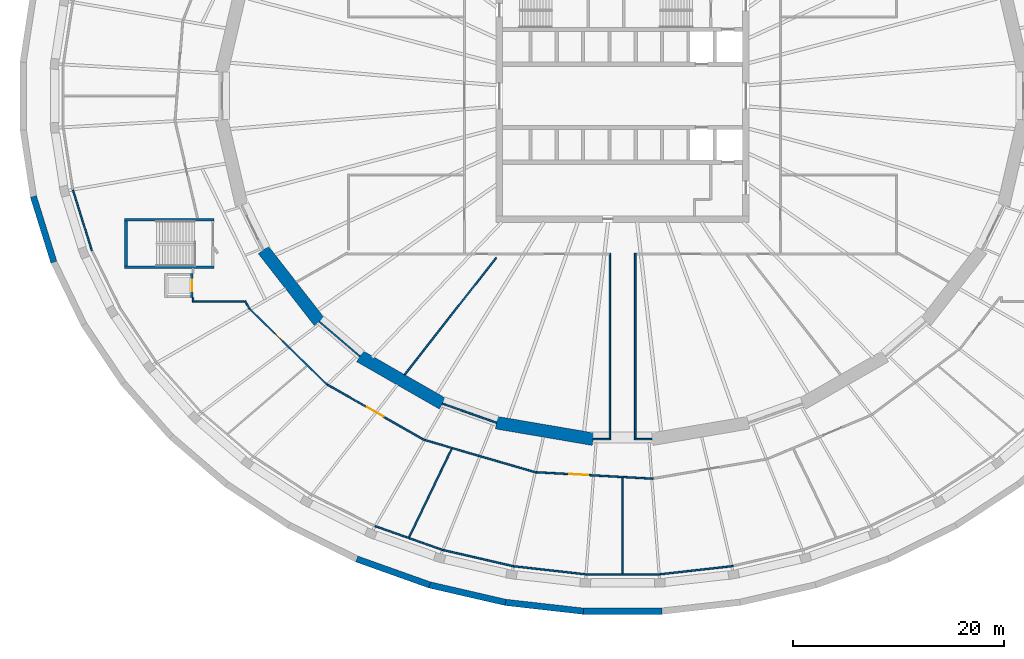
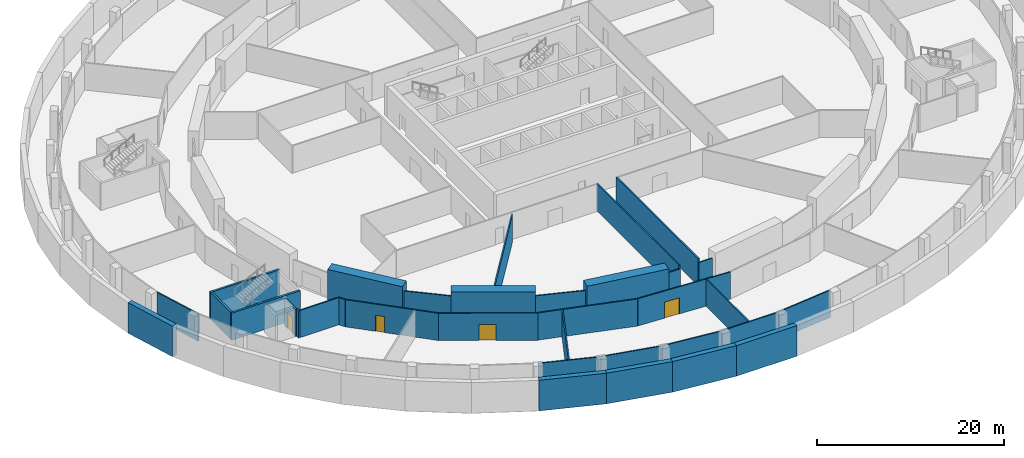
# One storey, part 5 of 14: 34 walls, 4 doors, 4 openings.
"""IFC4 building model written with IfcOpenShell, lengths in metres."""

from ifc_helpers import new_model, si_unit, direction, frame, frame_2d, origin, place, context, subcontext, project, spatial, polyline, rectangle, outline, extrude, material, layer, layer_set, type_object, element, fill, save


model = new_model("IFC4")

# Units and contexts
model_context = context("Model", 3, precision=1e-05, world=origin(), true_north=direction((0.0, 1.0)))
body_context = subcontext(model_context, "Body", "Model", "MODEL_VIEW")
ifc_project = project(units=[si_unit("LENGTHUNIT", "METRE"), si_unit("AREAUNIT", "SQUARE_METRE"), si_unit("VOLUMEUNIT", "CUBIC_METRE"), si_unit("PLANEANGLEUNIT", "RADIAN"), si_unit("MASSUNIT", "GRAM", prefix="KILO")], contexts=[model_context])

# Site, building, storey
site_placement = place(None, origin())
site = spatial("IfcSite", under=ifc_project, at=site_placement, CompositionType="ELEMENT")
building_placement = place(site_placement, origin())
building = spatial("IfcBuilding", under=site, at=building_placement, Name="Halqa Exchange Tower", CompositionType="ELEMENT")
storey_placement = place(building_placement, frame((0.0, 0.0, -4.0)))
storey = spatial("IfcBuildingStorey", under=building, at=storey_placement, Name="B1", CompositionType="ELEMENT", Elevation=-4.0)

# Walls
ifc_material_1 = material(Name="Fire-rated gypsum board")
ifc_layer_1 = layer(ifc_material_1, 0.14990234375)
ifc_layer_set_1 = layer_set([ifc_layer_1], Name="Fire-rated gypsum board")
wall_type_1 = type_object("IfcWallType", Name="Fire partition EI 60 150", PredefinedType="PARTITIONING", material=ifc_layer_set_1)
wall_1_placement = place(storey_placement, frame((-52.15380859375, -8.93408203125, 0.0), z_axis=(0.0, 0.0, 1.0), x_axis=(0.297729429636, -0.954650295516, 0.0)))
element("IfcWall", 1, at=wall_1_placement, inside=storey, type_object=wall_type_1, Name="B1-PWL-004", PredefinedType="PARTITIONING", context=body_context, shape_type="SweptSolid", body=[
    extrude(rectangle(XDim=6.013916015625, YDim=0.14990234375, at=frame_2d((3.0068359375, 0.0))), origin(), (0.0, 0.0, 1.0), 3.550048828125),
])
wall_2_placement = place(storey_placement, frame((-40.75, -19.574951171875, 0.0), z_axis=(0.0, 0.0, 1.0), x_axis=(0.0, 1.0, 0.0)))
element("IfcWall", 2, at=wall_2_placement, inside=storey, type_object=wall_type_1, Name="B1-PWL-015", PredefinedType="PARTITIONING", context=body_context, shape_type="SweptSolid", body=[
    extrude(rectangle(XDim=0.425048828125, YDim=0.14990234375, at=frame_2d((0.21240234375, 0.0))), origin(), (0.0, 0.0, 1.0), 3.550048828125),
])
wall_3_placement = place(storey_placement, frame((-35.890380859375, -19.5, 0.0), z_axis=(0.0, 0.0, 1.0), x_axis=(-1.0, 0.0, 0.0)))
element("IfcWall", 3, at=wall_3_placement, inside=storey, type_object=wall_type_1, Name="B1-PWL-026", PredefinedType="PARTITIONING", context=body_context, shape_type="SweptSolid", body=[
    extrude(outline(polyline([(0.044921875, -0.074951171875), (4.78466796875, -0.074951171875), (4.78466796875, 0.074951171875), (-0.044921875, 0.074951171875), (0.044921875, -0.074951171875)])), origin(), (0.0, 0.0, 1.0), 3.550048828125),
])
wall_4_placement = place(storey_placement, frame((-35.834716796875, -19.448486328125, 0.0), z_axis=(0.0, 0.0, 1.0), x_axis=(0.502102221325, -0.86480827895, 0.0)))
element("IfcWall", 4, at=wall_4_placement, inside=storey, type_object=wall_type_1, Name="B1-PWL-027", PredefinedType="PARTITIONING", context=body_context, shape_type="SweptSolid", body=[
    extrude(rectangle(XDim=0.884521484375, YDim=0.14990234375, at=frame_2d((0.4423828125, 0.0))), origin(), (0.0, 0.0, 1.0), 3.550048828125),
])

# Wall, opening, door
wall_5_placement = place(storey_placement, frame((-35.388671875, -20.21142578125, 0.0), z_axis=(0.0, 0.0, 1.0), x_axis=(0.714900505887, -0.699226191359, 0.0)))
wall_5 = element("IfcWall", 5, at=wall_5_placement, inside=storey, type_object=wall_type_1, Name="B1-PWL-029", PredefinedType="PARTITIONING", context=body_context, shape_type="SweptSolid", body=[
    extrude(rectangle(XDim=10.295654296875, YDim=0.14990234375, at=frame_2d((5.14794921875, 0.0))), origin(), (0.0, 0.0, 1.0), 3.550048828125),
])
opening_1_placement = place(wall_5_placement, frame((3.352783203125, 0.0, 0.0)))
opening_1 = element("IfcOpeningElement", 6, at=opening_1_placement, cuts=wall_5, Name="Opening B1-30", PredefinedType="OPENING", context=body_context, shape_type="SweptSolid", body=[
    extrude(rectangle(XDim=1.0, YDim=2.10009765625, at=frame_2d((0.5, 1.050048828125))), frame((0.0, 0.0869140625, 0.0), z_axis=(0.0, -1.0, 0.0), x_axis=(1.0, 0.0, 0.0)), (0.0, 0.0, 1.0), 0.173828125),
])
ifc_material_2 = material(Name="Steel fire door leaf", Category="steel")
door_type_1 = type_object("IfcDoorType", Name="Fire door FD30S 1000 x 2100", OperationType="SINGLE_SWING_LEFT", PredefinedType="DOOR", material=ifc_material_2)
door_1_placement = place(opening_1_placement, frame((1.0, 0.0, 0.0), z_axis=(0.0, 0.0, 1.0), x_axis=(-1.0, 0.0, 0.0)))
door_1 = element("IfcDoor", 7, at=door_1_placement, inside=storey, type_object=door_type_1, Name="B1-IDR-030", OperationType="SINGLE_SWING_RIGHT", OverallHeight=2.10009765625, OverallWidth=1.0, PredefinedType="DOOR", context=body_context, shape_type="SweptSolid", body=[
    extrude(rectangle(XDim=1.0, YDim=2.10009765625, at=frame_2d((0.5, 1.050048828125))), frame((0.0, 0.02490234375, 0.0), z_axis=(0.0, -1.0, 0.0), x_axis=(1.0, 0.0, 0.0)), (0.0, 0.0, 1.0), 0.050048828125),
])
fill(opening_1, door_1)

# Walls
wall_6_placement = place(storey_placement, frame((-28.789306640625, -21.41064453125, 0.0), z_axis=(0.0, 0.0, 1.0), x_axis=(0.760084552743, -0.649824185978, 0.0)))
element("IfcWall", 8, at=wall_6_placement, inside=storey, type_object=wall_type_1, Name="B1-PWL-037", PredefinedType="PARTITIONING", context=body_context, shape_type="SweptSolid", body=[
    extrude(outline(polyline([(-0.015380859375, -0.074951171875), (5.089111328125, -0.074951171875), (5.060791015625, 0.074951171875), (0.015380859375, 0.074951171875), (-0.015380859375, -0.074951171875)])), origin(), (0.0, 0.0, 1.0), 3.10009765625),
])
wall_7_placement = place(storey_placement, frame((-23.489501953125, -40.818603515625, 0.0), z_axis=(0.0, 0.0, 1.0), x_axis=(0.942678523295, -0.333702265079, 0.0)))
element("IfcWall", 9, at=wall_7_placement, inside=storey, type_object=wall_type_1, Name="B1-PWL-048", PredefinedType="PARTITIONING", context=body_context, shape_type="SweptSolid", body=[
    extrude(rectangle(XDim=6.831787109375, YDim=0.14990234375, at=frame_2d((3.416015625, 0.0))), origin(), (0.0, 0.0, 1.0), 3.550048828125),
])
wall_8_placement = place(storey_placement, frame((-20.679931640625, -26.449951171875, 0.0), z_axis=(0.0, 0.0, 1.0), x_axis=(0.616465586388, 0.787381851962, 0.0)))
element("IfcWall", 10, at=wall_8_placement, inside=storey, type_object=wall_type_1, Name="B1-PWL-050", PredefinedType="PARTITIONING", context=body_context, shape_type="SweptSolid", body=[
    extrude(outline(polyline([(0.010986328125, -0.074951171875), (14.099853515625, -0.074951171875), (14.099853515625, 0.074951171875), (-0.010986328125, 0.074951171875), (0.010986328125, -0.074951171875)])), origin(), (0.0, 0.0, 1.0), 3.550048828125),
])

# Wall, opening, door
wall_9_placement = place(storey_placement, frame((-18.774169921875, -32.67919921875, 0.0), z_axis=(0.0, 0.0, 1.0), x_axis=(-0.867830645151, 0.496860112444, 0.0)))
wall_9 = element("IfcWall", 11, at=wall_9_placement, inside=storey, type_object=wall_type_1, Name="B1-PWL-052", PredefinedType="PARTITIONING", context=body_context, shape_type="SweptSolid", body=[
    extrude(rectangle(XDim=10.64306640625, YDim=0.14990234375, at=frame_2d((5.321533203125, 0.0))), origin(), (0.0, 0.0, 1.0), 3.550048828125),
])
opening_2_placement = place(wall_9_placement, frame((4.522705078125, 0.0, 0.0)))
opening_2 = element("IfcOpeningElement", 12, at=opening_2_placement, cuts=wall_9, Name="Opening B1-31", PredefinedType="OPENING", context=body_context, shape_type="SweptSolid", body=[
    extrude(rectangle(XDim=1.800048828125, YDim=2.10009765625, at=frame_2d((0.89990234375, 1.050048828125))), frame((0.0, 0.0869140625, 0.0), z_axis=(0.0, -1.0, 0.0), x_axis=(1.0, 0.0, 0.0)), (0.0, 0.0, 1.0), 0.173828125),
])
door_type_2 = type_object("IfcDoorType", Name="Fire door FD30S double 1800 x 2100", OperationType="DOUBLE_DOOR_SINGLE_SWING", PredefinedType="DOOR", material=ifc_material_2)
door_2_placement = place(opening_2_placement, origin())
door_2 = element("IfcDoor", 13, at=door_2_placement, inside=storey, type_object=door_type_2, Name="B1-IDR-031", OperationType="DOUBLE_DOOR_SINGLE_SWING", OverallHeight=2.10009765625, OverallWidth=1.800048828125, PredefinedType="DOOR", context=body_context, shape_type="SweptSolid", body=[
    extrude(rectangle(XDim=1.800048828125, YDim=2.10009765625, at=frame_2d((0.89990234375, 1.050048828125))), frame((0.0, 0.02490234375, 0.0), z_axis=(0.0, -1.0, 0.0), x_axis=(1.0, 0.0, 0.0)), (0.0, 0.0, 1.0), 0.050048828125),
])
fill(opening_2, door_2)

# Walls
wall_10_placement = place(storey_placement, frame((-18.762939453125, -32.658203125, 0.0), z_axis=(0.0, 0.0, 1.0), x_axis=(0.960103579148, -0.279644626818, 0.0)))
element("IfcWall", 14, at=wall_10_placement, inside=storey, type_object=wall_type_1, Name="B1-PWL-053", PredefinedType="PARTITIONING", context=body_context, shape_type="SweptSolid", body=[
    extrude(rectangle(XDim=10.974853515625, YDim=0.14990234375, at=frame_2d((5.4873046875, 0.0))), origin(), (0.0, 0.0, 1.0), 3.550048828125),
])
wall_11_placement = place(storey_placement, frame((-17.0908203125, -29.19970703125, 0.0), z_axis=(0.0, 0.0, 1.0), x_axis=(0.942814385805, -0.333318217204, 0.0)))
element("IfcWall", 15, at=wall_11_placement, inside=storey, type_object=wall_type_1, Name="B1-PWL-055", PredefinedType="PARTITIONING", context=body_context, shape_type="SweptSolid", body=[
    extrude(outline(polyline([(-0.013671875, -0.074951171875), (5.44775390625, -0.074951171875), (5.421875, 0.074951171875), (0.013671875, 0.074951171875), (-0.013671875, -0.074951171875)])), origin(), (0.0, 0.0, 1.0), 3.10009765625),
])
wall_12_placement = place(storey_placement, frame((-16.2041015625, -33.480712890625, 0.0), z_axis=(0.0, 0.0, 1.0), x_axis=(-0.435389941519, -0.90024196682, 0.0)))
element("IfcWall", 16, at=wall_12_placement, inside=storey, type_object=wall_type_1, Name="B1-PWL-056", PredefinedType="PARTITIONING", context=body_context, shape_type="SweptSolid", body=[
    extrude(outline(polyline([(0.0126953125, -0.074951171875), (9.339111328125, -0.074951171875), (9.322509765625, 0.074951171875), (-0.0126953125, 0.074951171875), (0.0126953125, -0.074951171875)])), origin(), (0.0, 0.0, 1.0), 3.550048828125),
])
wall_13_placement = place(storey_placement, frame((-10.316650390625, -44.63916015625, 0.0), z_axis=(0.0, 0.0, 1.0), x_axis=(-0.974487031509, 0.224443813504, 0.0)))
element("IfcWall", 17, at=wall_13_placement, inside=storey, type_object=wall_type_1, Name="B1-PWL-063", PredefinedType="PARTITIONING", context=body_context, shape_type="SweptSolid", body=[
    extrude(rectangle(XDim=6.90625, YDim=0.14990234375, at=frame_2d((3.453125, 0.0))), origin(), (0.0, 0.0, 1.0), 3.550048828125),
])

# Wall, opening, door
wall_14_placement = place(storey_placement, frame((-8.22021484375, -35.70556640625, 0.0), z_axis=(0.0, 0.0, 1.0), x_axis=(0.998446411546, -0.055720402649, 0.0)))
wall_14 = element("IfcWall", 18, at=wall_14_placement, inside=storey, type_object=wall_type_1, Name="B1-PWL-065", PredefinedType="PARTITIONING", context=body_context, shape_type="SweptSolid", body=[
    extrude(rectangle(XDim=11.124755859375, YDim=0.14990234375, at=frame_2d((5.5625, 0.0))), origin(), (0.0, 0.0, 1.0), 3.550048828125),
])
opening_3_placement = place(wall_14_placement, frame((3.181396484375, 0.0, 0.0)))
opening_3 = element("IfcOpeningElement", 19, at=opening_3_placement, cuts=wall_14, Name="Opening B1-32", PredefinedType="OPENING", context=body_context, shape_type="SweptSolid", body=[
    extrude(rectangle(XDim=1.800048828125, YDim=2.10009765625, at=frame_2d((0.89990234375, 1.050048828125))), frame((0.0, 0.0869140625, 0.0), z_axis=(0.0, -1.0, 0.0), x_axis=(1.0, 0.0, 0.0)), (0.0, 0.0, 1.0), 0.173828125),
])
door_3_placement = place(opening_3_placement, origin())
door_3 = element("IfcDoor", 20, at=door_3_placement, inside=storey, type_object=door_type_2, Name="B1-IDR-032", OperationType="DOUBLE_DOOR_SINGLE_SWING", OverallHeight=2.10009765625, OverallWidth=1.800048828125, PredefinedType="DOOR", context=body_context, shape_type="SweptSolid", body=[
    extrude(rectangle(XDim=1.800048828125, YDim=2.10009765625, at=frame_2d((0.89990234375, 1.050048828125))), frame((0.0, 0.02490234375, 0.0), z_axis=(0.0, -1.0, 0.0), x_axis=(1.0, 0.0, 0.0)), (0.0, 0.0, 1.0), 0.050048828125),
])
fill(opening_3, door_3)

# Walls
wall_15_placement = place(storey_placement, frame((-3.405029296875, -45.40966796875, 0.0), z_axis=(0.0, 0.0, 1.0), x_axis=(-0.993688681101, 0.112173103067, 0.0)))
element("IfcWall", 21, at=wall_15_placement, inside=storey, type_object=wall_type_1, Name="B1-PWL-066", PredefinedType="PARTITIONING", context=body_context, shape_type="SweptSolid", body=[
    extrude(rectangle(XDim=6.953857421875, YDim=0.14990234375, at=frame_2d((3.47705078125, 0.0))), origin(), (0.0, 0.0, 1.0), 3.550048828125),
])
wall_16_placement = place(storey_placement, frame((-3.404541015625, -45.39990234375, 0.0), z_axis=(0.0, 0.0, 1.0), x_axis=(1.0, 0.0, 0.0)))
element("IfcWall", 22, at=wall_16_placement, inside=storey, type_object=wall_type_1, Name="B1-PWL-067", PredefinedType="PARTITIONING", context=body_context, shape_type="SweptSolid", body=[
    extrude(rectangle(XDim=6.97998046875, YDim=0.14990234375, at=frame_2d((3.489990234375, 0.0))), origin(), (0.0, 0.0, 1.0), 3.550048828125),
])
wall_17_placement = place(storey_placement, frame((-2.7880859375, -32.570068359375, 0.0), z_axis=(0.0, 0.0, 1.0), x_axis=(1.0, 0.0, 0.0)))
element("IfcWall", 23, at=wall_17_placement, inside=storey, type_object=wall_type_1, Name="B1-PWL-069", PredefinedType="PARTITIONING", context=body_context, shape_type="SweptSolid", body=[
    extrude(outline(polyline([(-0.0126953125, -0.074951171875), (1.6630859375, -0.074951171875), (1.6630859375, 0.074951171875), (0.0126953125, 0.074951171875), (-0.0126953125, -0.074951171875)])), origin(), (0.0, 0.0, 1.0), 3.10009765625),
])
wall_18_placement = place(storey_placement, frame((-1.199951171875, -32.4951171875, 0.0), z_axis=(0.0, 0.0, 1.0), x_axis=(0.0, 1.0, 0.0)))
element("IfcWall", 24, at=wall_18_placement, inside=storey, type_object=wall_type_1, Name="B1-PWL-071", PredefinedType="PARTITIONING", context=body_context, shape_type="SweptSolid", body=[
    extrude(rectangle(XDim=17.570068359375, YDim=0.14990234375, at=frame_2d((8.78515625, 0.0))), origin(), (0.0, 0.0, 1.0), 3.550048828125),
])
wall_19_placement = place(storey_placement, frame((0.0, -36.238525390625, 0.0), z_axis=(0.0, 0.0, 1.0), x_axis=(0.0, -1.0, 0.0)))
element("IfcWall", 25, at=wall_19_placement, inside=storey, type_object=wall_type_1, Name="B1-PWL-075", PredefinedType="PARTITIONING", context=body_context, shape_type="SweptSolid", body=[
    extrude(outline(polyline([(-0.004150390625, -0.074951171875), (9.08642578125, -0.074951171875), (9.08642578125, 0.074951171875), (0.004150390625, 0.074951171875), (-0.004150390625, -0.074951171875)])), origin(), (0.0, 0.0, 1.0), 3.550048828125),
])
wall_20_placement = place(storey_placement, frame((1.125, -32.570068359375, 0.0), z_axis=(0.0, 0.0, 1.0), x_axis=(1.0, 0.0, 0.0)))
element("IfcWall", 26, at=wall_20_placement, inside=storey, type_object=wall_type_1, Name="B1-PWL-077", PredefinedType="PARTITIONING", context=body_context, shape_type="SweptSolid", body=[
    extrude(outline(polyline([(0.0, -0.074951171875), (1.67578125, -0.074951171875), (1.650390625, 0.074951171875), (0.0, 0.074951171875), (0.0, -0.074951171875)])), origin(), (0.0, 0.0, 1.0), 3.10009765625),
])
wall_21_placement = place(storey_placement, frame((1.199951171875, -14.925048828125, 0.0), z_axis=(0.0, 0.0, 1.0), x_axis=(0.0, -1.0, 0.0)))
element("IfcWall", 27, at=wall_21_placement, inside=storey, type_object=wall_type_1, Name="B1-PWL-078", PredefinedType="PARTITIONING", context=body_context, shape_type="SweptSolid", body=[
    extrude(rectangle(XDim=17.570068359375, YDim=0.14990234375, at=frame_2d((8.78515625, 0.0))), origin(), (0.0, 0.0, 1.0), 3.550048828125),
])
wall_22_placement = place(storey_placement, frame((10.485107421875, -44.6103515625, 0.0), z_axis=(0.0, 0.0, 1.0), x_axis=(-0.993689122847, -0.112169189779, 0.0)))
element("IfcWall", 28, at=wall_22_placement, inside=storey, type_object=wall_type_1, Name="B1-PWL-085", PredefinedType="PARTITIONING", context=body_context, shape_type="SweptSolid", body=[
    extrude(rectangle(XDim=6.9541015625, YDim=0.14990234375, at=frame_2d((3.47705078125, 0.0))), origin(), (0.0, 0.0, 1.0), 3.550048828125),
])

# Wall, opening, door
ifc_material_3 = material(Name="Gypsum board")
ifc_layer_2 = layer(ifc_material_3, 0.25)
ifc_layer_set_2 = layer_set([ifc_layer_2], Name="Gypsum board")
wall_type_2 = type_object("IfcWallType", Name="Penthouse riser wall 250 gypsum", PredefinedType="PARTITIONING", material=ifc_layer_set_2)
wall_23_placement = place(storey_placement, frame((-40.875, -19.14990234375, 0.0), z_axis=(0.0, 0.0, 1.0), x_axis=(0.0, 1.0, 0.0)))
wall_23 = element("IfcWall", 29, at=wall_23_placement, inside=storey, type_object=wall_type_2, Name="Station lift AL4 wall east", PredefinedType="PARTITIONING", context=body_context, shape_type="SweptSolid", body=[
    extrude(rectangle(XDim=2.2998046875, YDim=0.25, at=frame_2d((1.14990234375, 0.0))), origin(), (0.0, 0.0, 1.0), 3.550048828125),
])
opening_4_placement = place(wall_23_placement, frame((0.60009765625, 0.0, 0.0)))
opening_4 = element("IfcOpeningElement", 30, at=opening_4_placement, cuts=wall_23, Name="Opening LD-AL4-B1", PredefinedType="OPENING", context=body_context, shape_type="SweptSolid", body=[
    extrude(rectangle(XDim=1.10009765625, YDim=2.10009765625, at=frame_2d((0.550048828125, 1.050048828125))), frame((0.0, 0.136962890625, 0.0), z_axis=(0.0, -1.0, 0.0), x_axis=(1.0, 0.0, 0.0)), (0.0, 0.0, 1.0), 0.27392578125),
])
ifc_material_4 = material(Name="Stainless steel", Category="steel")
door_type_3 = type_object("IfcDoorType", Name="Lift landing door 1100 x 2100", OperationType="SLIDING_TO_LEFT", PredefinedType="DOOR", material=ifc_material_4)
door_4_placement = place(opening_4_placement, origin())
door_4 = element("IfcDoor", 31, at=door_4_placement, inside=storey, type_object=door_type_3, Name="Lift landing door AL4", OperationType="SLIDING_TO_LEFT", OverallHeight=2.10009765625, OverallWidth=1.10009765625, PredefinedType="DOOR", context=body_context, shape_type="SweptSolid", body=[
    extrude(rectangle(XDim=1.10009765625, YDim=2.10009765625, at=frame_2d((0.550048828125, 1.050048828125))), frame((0.0, 0.02490234375, 0.0), z_axis=(0.0, -1.0, 0.0), x_axis=(1.0, 0.0, 0.0)), (0.0, 0.0, 1.0), 0.050048828125),
])
fill(opening_4, door_4)

# Walls
ifc_material_5 = material(Name="Concrete C40/50", Category="concrete")
ifc_layer_3 = layer(ifc_material_5, 0.60009765625)
ifc_layer_set_3 = layer_set([ifc_layer_3], Name="Concrete C40/50")
wall_type_3 = type_object("IfcWallType", Name="RC basement wall 600", PredefinedType="SOLIDWALL", material=ifc_layer_set_3)
wall_24_placement = place(storey_placement, frame((-55.91162109375, -9.537841796875, 0.0), z_axis=(0.0, 0.0, 1.0), x_axis=(0.297591507632, -0.954693298701, 0.0)))
element("IfcWall", 32, at=wall_24_placement, inside=storey, type_object=wall_type_3, Name="Basement retaining wall", PredefinedType="SOLIDWALL", context=body_context, shape_type="SweptSolid", body=[
    extrude(rectangle(XDim=6.529541015625, YDim=0.60009765625, at=frame_2d((3.2646484375, 0.0))), origin(), (0.0, 0.0, 1.0), 4.0),
])
wall_25_placement = place(storey_placement, frame((-25.227294921875, -43.94091796875, 0.0), z_axis=(0.0, 0.0, 1.0), x_axis=(0.942060991409, -0.33544163198, 0.0)))
element("IfcWall", 33, at=wall_25_placement, inside=storey, type_object=wall_type_3, Name="Basement retaining wall", PredefinedType="SOLIDWALL", context=body_context, shape_type="SweptSolid", body=[
    extrude(rectangle(XDim=7.347412109375, YDim=0.60009765625, at=frame_2d((3.673828125, 0.0))), origin(), (0.0, 0.0, 1.0), 4.0),
])
wall_26_placement = place(storey_placement, frame((-18.3388671875, -46.395751953125, 0.0), z_axis=(0.0, 0.0, 1.0), x_axis=(0.974485322097, -0.224451235276, 0.0)))
element("IfcWall", 34, at=wall_26_placement, inside=storey, type_object=wall_type_3, Name="Basement retaining wall", PredefinedType="SOLIDWALL", context=body_context, shape_type="SweptSolid", body=[
    extrude(rectangle(XDim=7.4248046875, YDim=0.60009765625, at=frame_2d((3.71240234375, 0.0))), origin(), (0.0, 0.0, 1.0), 4.0),
])
wall_27_placement = place(storey_placement, frame((-11.13720703125, -48.056640625, 0.0), z_axis=(0.0, 0.0, 1.0), x_axis=(0.993658203282, -0.112442763445, 0.0)))
element("IfcWall", 35, at=wall_27_placement, inside=storey, type_object=wall_type_3, Name="Basement retaining wall", PredefinedType="SOLIDWALL", context=body_context, shape_type="SweptSolid", body=[
    extrude(rectangle(XDim=7.473388671875, YDim=0.60009765625, at=frame_2d((3.73681640625, 0.0))), origin(), (0.0, 0.0, 1.0), 4.0),
])
wall_28_placement = place(storey_placement, frame((-3.744873046875, -48.89501953125, 0.0), z_axis=(0.0, 0.0, 1.0), x_axis=(1.0, 0.0, 0.0)))
element("IfcWall", 36, at=wall_28_placement, inside=storey, type_object=wall_type_3, Name="Basement retaining wall", PredefinedType="SOLIDWALL", context=body_context, shape_type="SweptSolid", body=[
    extrude(rectangle(XDim=7.48974609375, YDim=0.60009765625, at=frame_2d((3.744873046875, 0.0))), origin(), (0.0, 0.0, 1.0), 4.0),
])
ifc_material_6 = material(Name="Concrete C80/95", Category="concrete")
ifc_layer_4 = layer(ifc_material_6, 1.199951171875)
ifc_layer_set_4 = layer_set([ifc_layer_4], Name="Concrete C80/95")
wall_type_4 = type_object("IfcWallType", Name="RC ring pier 1200 C80/95", PredefinedType="SHEAR", material=ifc_layer_set_4)
wall_29_placement = place(storey_placement, frame((-34.09716796875, -14.60498046875, 0.0), z_axis=(0.0, 0.0, 1.0), x_axis=(0.614825322247, -0.788663314174, 0.0)))
element("IfcWall", 37, at=wall_29_placement, inside=storey, type_object=wall_type_4, Name="Ring pier 10", PredefinedType="SHEAR", context=body_context, shape_type="SweptSolid", body=[
    extrude(rectangle(XDim=8.631591796875, YDim=1.199951171875, at=frame_2d((4.31591796875, 0.0))), origin(), (0.0, 0.0, 1.0), 4.0),
])
wall_30_placement = place(storey_placement, frame((-24.931396484375, -24.705810546875, 0.0), z_axis=(0.0, 0.0, 1.0), x_axis=(0.867760656864, -0.496982336103, 0.0)))
element("IfcWall", 38, at=wall_30_placement, inside=storey, type_object=wall_type_4, Name="Ring pier 11", PredefinedType="SHEAR", context=body_context, shape_type="SweptSolid", body=[
    extrude(rectangle(XDim=9.037841796875, YDim=1.199951171875, at=frame_2d((4.51904296875, 0.0))), origin(), (0.0, 0.0, 1.0), 4.0),
])
wall_31_placement = place(storey_placement, frame((-11.96728515625, -31.00927734375, 0.0), z_axis=(0.0, 0.0, 1.0), x_axis=(0.985776286846, -0.168062822456, 0.0)))
element("IfcWall", 39, at=wall_31_placement, inside=storey, type_object=wall_type_4, Name="Ring pier 12", PredefinedType="SHEAR", context=body_context, shape_type="SweptSolid", body=[
    extrude(rectangle(XDim=9.3115234375, YDim=1.199951171875, at=frame_2d((4.65576171875, 0.0))), origin(), (0.0, 0.0, 1.0), 4.0),
])
ifc_material_7 = material(Name="Concrete C30/37", Category="concrete")
ifc_layer_5 = layer(ifc_material_7, 0.25)
ifc_layer_set_5 = layer_set([ifc_layer_5], Name="Concrete C30/37")
wall_type_5 = type_object("IfcWallType", Name="RC stair wall 250 C30/37", PredefinedType="SHEAR", material=ifc_layer_set_5)
for number, where, z_axis, x_axis, name in (
    (40, (-47.25, -11.75, 0.0), (0.0, 0.0, 1.0), (1.0, 0.0, 0.0), "Stair SS4 wall north"),
    (41, (-47.25, -16.25, 0.0), (0.0, 0.0, 1.0), (1.0, 0.0, 0.0), "Stair SS4 wall south"),
):
    element("IfcWall", number, at=place(storey_placement, frame(where, z_axis=z_axis, x_axis=x_axis)), inside=storey, type_object=wall_type_5, Name=name, PredefinedType="SHEAR", context=body_context, shape_type="SweptSolid", body=[
        extrude(rectangle(XDim=8.5, YDim=0.25, at=frame_2d((4.25, 0.0))), origin(), (0.0, 0.0, 1.0), 3.550048828125),
    ])
wall_32_placement = place(storey_placement, frame((-47.125, -16.125, 0.0), z_axis=(0.0, 0.0, 1.0), x_axis=(0.0, 1.0, 0.0)))
element("IfcWall", 42, at=wall_32_placement, inside=storey, type_object=wall_type_5, Name="Stair SS4 wall west", PredefinedType="SHEAR", context=body_context, shape_type="SweptSolid", body=[
    extrude(rectangle(XDim=4.25, YDim=0.25, at=frame_2d((2.125, 0.0))), origin(), (0.0, 0.0, 1.0), 3.550048828125),
])

save(model, "model.ifc")
